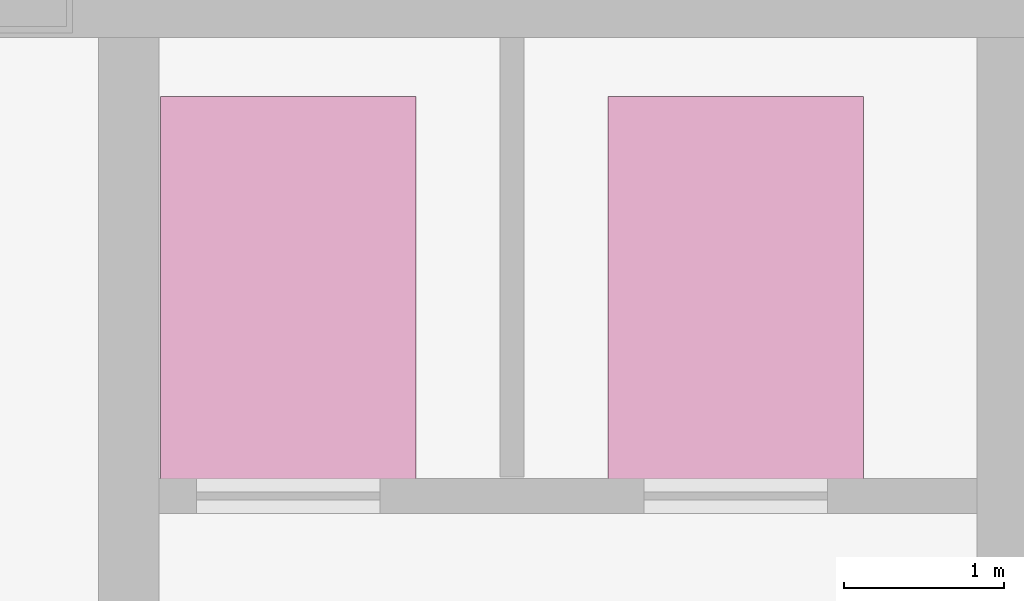
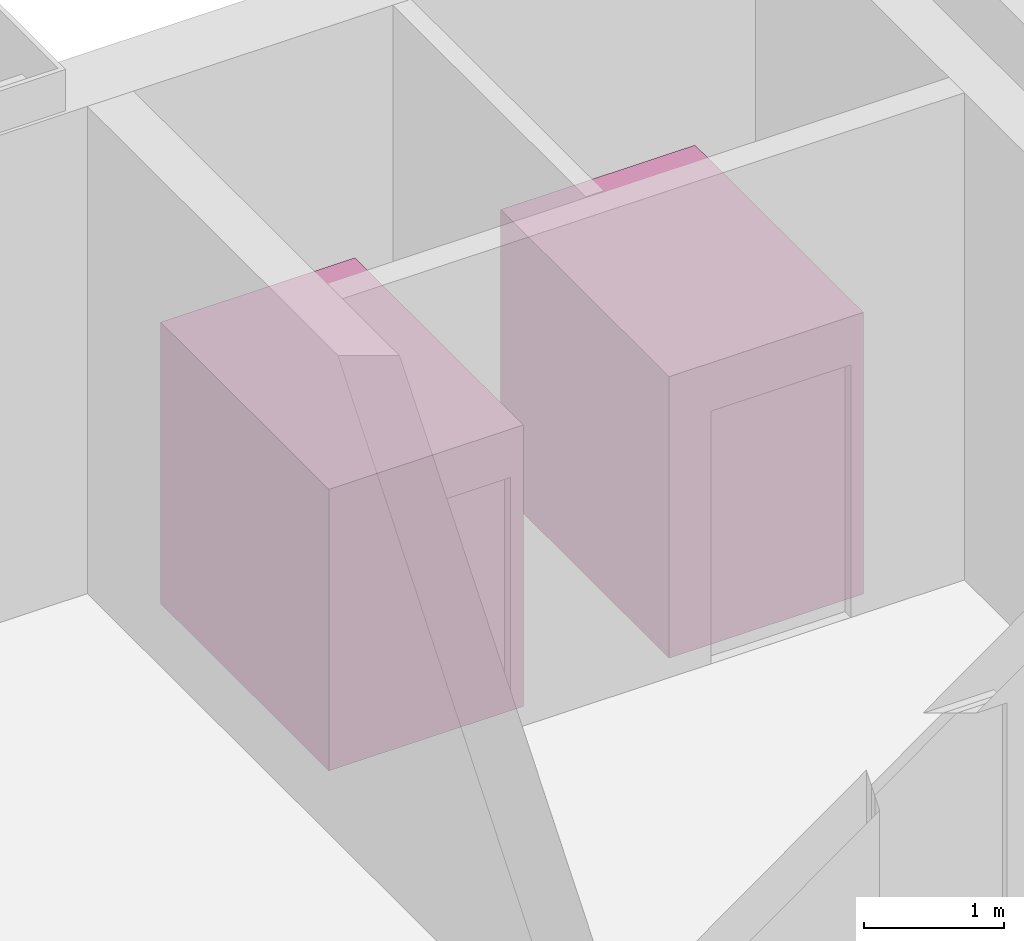
# One storey, part 8 of 8: 2 transport elements.
"""IFC4 building model written with IfcOpenShell, lengths in metres."""

from ifc_helpers import new_model, si_unit, direction, frame, origin, origin_2d, place, context, subcontext, project, spatial, rectangle, extrude, material, type_object, element, save


model = new_model("IFC4")

# Units and contexts
model_context = context("Model", 3, precision=1e-05, world=origin(), true_north=direction((0.0, 1.0)))
body_context = subcontext(model_context, "Body", "Model", "MODEL_VIEW")
ifc_project = project(units=[si_unit("LENGTHUNIT", "METRE"), si_unit("AREAUNIT", "SQUARE_METRE"), si_unit("VOLUMEUNIT", "CUBIC_METRE"), si_unit("PLANEANGLEUNIT", "RADIAN"), si_unit("MASSUNIT", "GRAM", prefix="KILO")], contexts=[model_context])

# Site, building, storey
site_placement = place(None, origin())
site = spatial("IfcSite", under=ifc_project, at=site_placement, CompositionType="ELEMENT")
building_placement = place(site_placement, origin())
building = spatial("IfcBuilding", under=site, at=building_placement, Name="Qianrong Seaharbour Tower", CompositionType="ELEMENT")
storey_placement = place(building_placement, frame((0.0, 0.0, -13.800048828125)))
storey = spatial("IfcBuildingStorey", under=building, at=storey_placement, Name="B03", CompositionType="ELEMENT", Elevation=-13.800048828125)

# Transport elements
ifc_material = material(Name="Stainless steel SUS316L emergency firefighting elevator car", Category="steel")
transport_element_type = type_object("IfcTransportElementType", Name="LIFT-FF-1600x2400", PredefinedType="ELEVATOR", material=ifc_material)
for number, where, z_axis, x_axis, name in (
    (1, (50.39990234375, 49.85009765625, 0.0), (0.0, 0.0, 1.0), (1.0, 0.0, 0.0), "Firefighting Elevator Car FL-1"),
    (2, (53.199951171875, 49.85009765625, 0.0), (0.0, 0.0, 1.0), (1.0, 0.0, 0.0), "Firefighting Elevator Car FL-2"),
):
    element("IfcTransportElement", number, at=place(storey_placement, frame(where, z_axis=z_axis, x_axis=x_axis)), inside=storey, type_object=transport_element_type, Name=name, PredefinedType="ELEVATOR", context=body_context, shape_type="SweptSolid", body=[
        extrude(rectangle(XDim=1.60009765625, YDim=2.39990234375, at=origin_2d()), origin(), (0.0, 0.0, 1.0), 2.449951171875),
    ])

save(model, "model.ifc")
